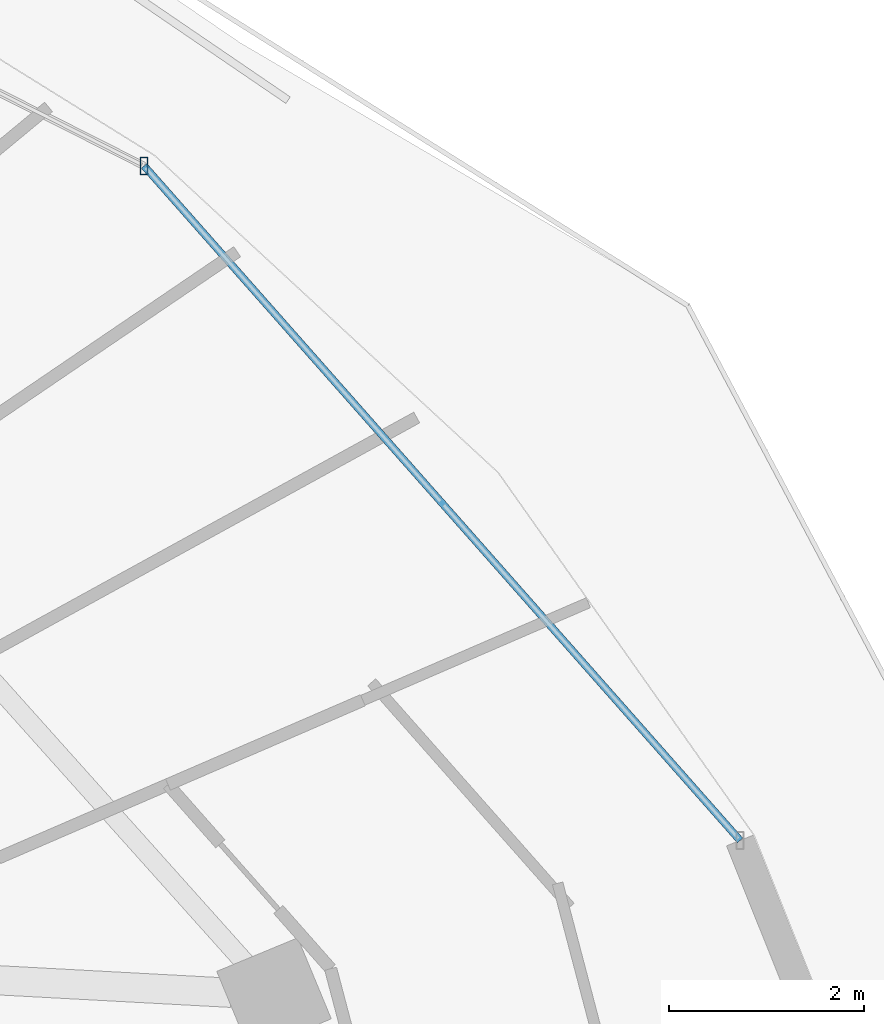
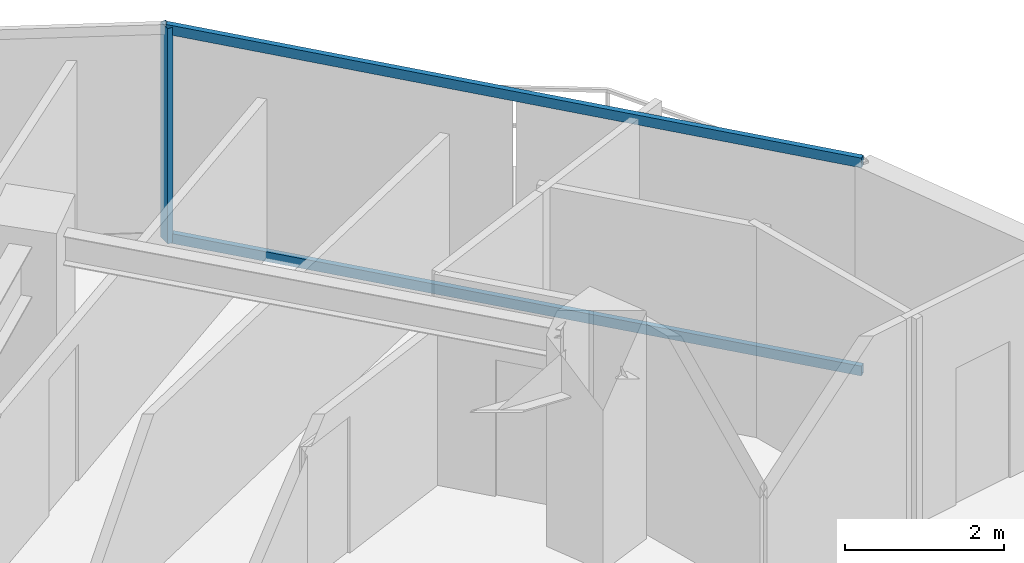
# One storey, part 22 of 34: 3 members, 1 element without a shape of its own.
"""IFC4 building model written with IfcOpenShell, lengths in metres."""

from ifc_helpers import new_model, si_unit, direction, frame, origin, origin_2d, place, context, subcontext, project, spatial, hollow_rectangle, extrude, material, material_profile, profile_set, type_object, element, aggregate, save


model = new_model("IFC4")

# Units and contexts
model_context = context("Model", 3, precision=1e-05, world=origin(), true_north=direction((0.0, 1.0)))
body_context = subcontext(model_context, "Body", "Model", "MODEL_VIEW")
ifc_project = project(units=[si_unit("LENGTHUNIT", "METRE"), si_unit("AREAUNIT", "SQUARE_METRE"), si_unit("VOLUMEUNIT", "CUBIC_METRE"), si_unit("PLANEANGLEUNIT", "RADIAN"), si_unit("MASSUNIT", "GRAM", prefix="KILO")], contexts=[model_context])

# Site, building, storey
site_placement = place(None, origin())
site = spatial("IfcSite", under=ifc_project, at=site_placement, CompositionType="ELEMENT")
building_placement = place(site_placement, origin())
building = spatial("IfcBuilding", under=site, at=building_placement, Name="Vorneva Point Tower", CompositionType="ELEMENT")
storey_placement = place(building_placement, frame((0.0, 0.0, 182.60009765625)))
storey = spatial("IfcBuildingStorey", under=building, at=storey_placement, Name="L49", CompositionType="ELEMENT", Elevation=182.60009765625)

# Curtain wall, members
ifc_material = material(Name="Pale anodised aluminium", Category="aluminium")
curtain_wall_type = type_object("IfcCurtainWallType", Name="CW-RES-SYS", PredefinedType="NOTDEFINED", material=ifc_material)
curtain_wall_placement = place(storey_placement, origin())
curtain_wall = element("IfcCurtainWall", 1, at=curtain_wall_placement, inside=storey, type_object=curtain_wall_type, Name="L49 Unitised Curtain Wall CW-L49-R01", PredefinedType="NOTDEFINED")
ifc_material_profile_1 = material_profile(ifc_material, hollow_rectangle(XDim=0.074951171875, YDim=0.179931640625, WallThickness=0.00390625, at=origin_2d()), Name="AL-MUL 180x75x4")
ifc_profile_set_1 = profile_set([ifc_material_profile_1], Name="Pale anodised aluminium")
member_type_1 = type_object("IfcMemberType", Name="CW-MUL-180", PredefinedType="MULLION", material=ifc_profile_set_1)
member_1_placement = place(storey_placement, frame((57.961669921875, 41.0966796875, -0.0400390625), z_axis=(0.0, 0.0, 1.0), x_axis=(1.0, 0.0, 0.0)))
member_1 = element("IfcMember", 2, at=member_1_placement, type_object=member_type_1, Name="CW-L49-R01 Mullion 02", PredefinedType="MULLION", context=body_context, shape_type="SweptSolid", body=[
    extrude(hollow_rectangle(XDim=0.074951171875, YDim=0.179931640625, WallThickness=0.00390625, at=origin_2d()), origin(), (0.0, 0.0, 1.0), 3.31005859375),
])
ifc_material_profile_2 = material_profile(ifc_material, hollow_rectangle(XDim=0.074951171875, YDim=0.14990234375, WallThickness=0.00390625, at=origin_2d()), Name="AL-TRN 150x75x4")
ifc_profile_set_2 = profile_set([ifc_material_profile_2], Name="Pale anodised aluminium")
member_type_2 = type_object("IfcMemberType", Name="CW-TRN-150", PredefinedType="USERDEFINED", material=ifc_profile_set_2)
member_2_placement = place(storey_placement, frame((64.0810546875, 34.17041015625, 0.02001953125), z_axis=(-0.662106383869, 0.749409858782, 0.0), x_axis=(-0.749409858782, -0.662106383869, 0.0)))
member_2 = element("IfcMember", 3, at=member_2_placement, type_object=member_type_2, Name="CW-L49-R01 Transom 01.1", ObjectType="TRANSOM", PredefinedType="USERDEFINED", context=body_context, shape_type="SweptSolid", body=[
    extrude(hollow_rectangle(XDim=0.074951171875, YDim=0.14990234375, WallThickness=0.00390625, at=origin_2d()), origin(), (0.0, 0.0, 1.0), 9.2421875),
])
member_3_placement = place(storey_placement, frame((64.0810546875, 34.17041015625, 3.219970703125), z_axis=(-0.662106383869, 0.749409858782, 0.0), x_axis=(-0.749409858782, -0.662106383869, 0.0)))
member_3 = element("IfcMember", 4, at=member_3_placement, type_object=member_type_2, Name="CW-L49-R01 Transom 01.2", ObjectType="TRANSOM", PredefinedType="USERDEFINED", context=body_context, shape_type="SweptSolid", body=[
    extrude(hollow_rectangle(XDim=0.074951171875, YDim=0.14990234375, WallThickness=0.00390625, at=origin_2d()), origin(), (0.0, 0.0, 1.0), 9.2421875),
])
aggregate(curtain_wall, [member_1, member_2, member_3])

save(model, "model.ifc")
